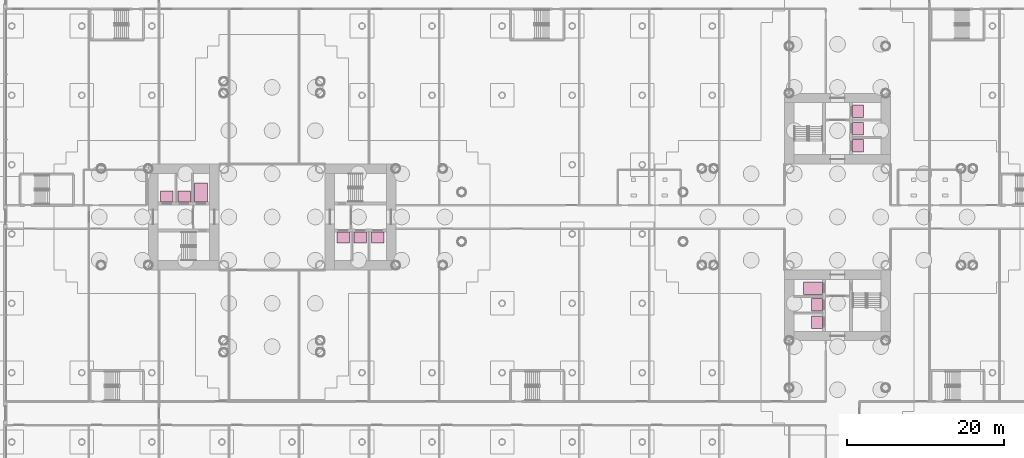
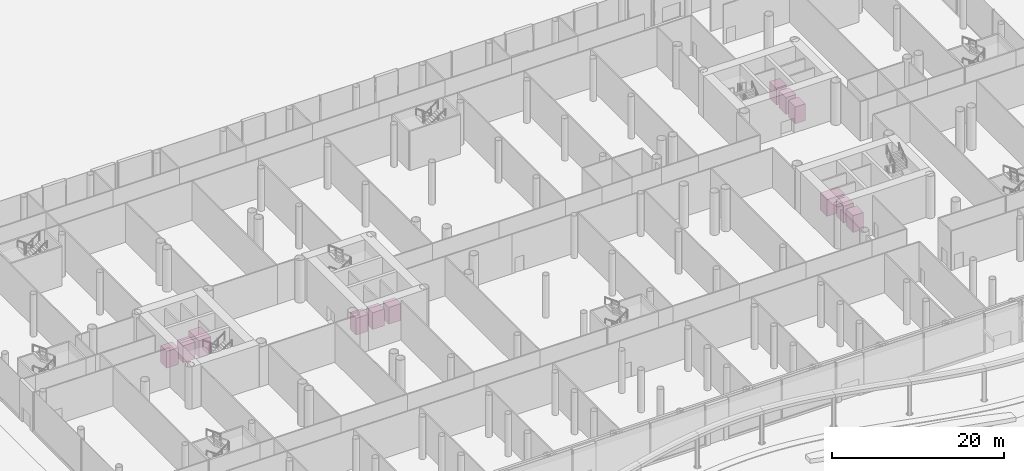
# One storey, part 75 of 75: 12 transport elements.
"""IFC4 building model written with IfcOpenShell, lengths in metres."""

from ifc_helpers import new_model, si_unit, direction, frame, origin, origin_2d, place, context, subcontext, project, spatial, rectangle, extrude, material, type_object, element, save


model = new_model("IFC4")

# Units and contexts
model_context = context("Model", 3, precision=1e-05, world=origin(), true_north=direction((0.0, 1.0)))
body_context = subcontext(model_context, "Body", "Model", "MODEL_VIEW")
ifc_project = project(units=[si_unit("LENGTHUNIT", "METRE"), si_unit("AREAUNIT", "SQUARE_METRE"), si_unit("VOLUMEUNIT", "CUBIC_METRE"), si_unit("PLANEANGLEUNIT", "RADIAN"), si_unit("MASSUNIT", "GRAM", prefix="KILO")], contexts=[model_context])

# Site, building, storey
site_placement = place(None, origin())
site = spatial("IfcSite", under=ifc_project, at=site_placement, CompositionType="ELEMENT")
building_placement = place(site_placement, origin())
building = spatial("IfcBuilding", under=site, at=building_placement, Name="Ipe Terrace Towers", CompositionType="ELEMENT")
storey_placement = place(building_placement, origin())
storey = spatial("IfcBuildingStorey", under=building, at=storey_placement, Name="L00", CompositionType="ELEMENT", Elevation=0.0)

# Transport elements
ifc_material_1 = material(Name="Stainless steel lift car", Category="steel")
transport_element_type_1 = type_object("IfcTransportElementType", Name="Lift car 1600 x 1400 for 1050 kg", PredefinedType="ELEVATOR", material=ifc_material_1)
for number, where, z_axis, x_axis, name in (
    (1, (-26.949951171875, -2.60009765625, 0.0), (0.0, 0.0, 1.0), (1.0, 0.0, 0.0), "Low-rise lift 1 T1"),
    (2, (-24.75, -2.60009765625, 0.0), (0.0, 0.0, 1.0), (1.0, 0.0, 0.0), "Low-rise lift 2 T1"),
    (3, (-22.550048828125, -2.60009765625, 0.0), (0.0, 0.0, 1.0), (1.0, 0.0, 0.0), "Low-rise lift 3 T1"),
):
    element("IfcTransportElement", number, at=place(storey_placement, frame(where, z_axis=z_axis, x_axis=x_axis)), inside=storey, type_object=transport_element_type_1, Name=name, PredefinedType="ELEVATOR", context=body_context, shape_type="SweptSolid", body=[
        extrude(rectangle(XDim=1.60009765625, YDim=1.39990234375, at=origin_2d()), origin(), (0.0, 0.0, 1.0), 2.39990234375),
    ])
for number, where, z_axis, x_axis, name in (
    (4, (38.60009765625, 9.050048828125, 0.0), (0.0, 0.0, 1.0), (1.0, 0.0, 0.0), "Low-rise lift 1 T2"),
    (5, (38.60009765625, 11.25, 0.0), (0.0, 0.0, 1.0), (1.0, 0.0, 0.0), "Low-rise lift 2 T2"),
    (6, (38.60009765625, 13.449951171875, 0.0), (0.0, 0.0, 1.0), (1.0, 0.0, 0.0), "Low-rise lift 3 T2"),
):
    element("IfcTransportElement", number, at=place(storey_placement, frame(where, z_axis=z_axis, x_axis=x_axis)), inside=storey, type_object=transport_element_type_1, Name=name, PredefinedType="ELEVATOR", context=body_context, shape_type="SweptSolid", body=[
        extrude(rectangle(XDim=1.39990234375, YDim=1.60009765625, at=origin_2d()), origin(), (0.0, 0.0, 1.0), 2.39990234375),
    ])
ifc_material_2 = material(Name="Stainless steel lift car", Category="steel")
transport_element_type_2 = type_object("IfcTransportElementType", Name="Lift car 1600 x 1400 for 1350 kg", PredefinedType="ELEVATOR", material=ifc_material_2)
for number, where, z_axis, x_axis, name in (
    (7, (-47.199951171875, 2.60009765625, 0.0), (0.0, 0.0, 1.0), (1.0, 0.0, 0.0), "Express shuttle lift 1 T1"),
    (8, (-49.39990234375, 2.60009765625, 0.0), (0.0, 0.0, 1.0), (1.0, 0.0, 0.0), "High-rise express lift T1"),
):
    element("IfcTransportElement", number, at=place(storey_placement, frame(where, z_axis=z_axis, x_axis=x_axis)), inside=storey, type_object=transport_element_type_2, Name=name, PredefinedType="ELEVATOR", context=body_context, shape_type="SweptSolid", body=[
        extrude(rectangle(XDim=1.60009765625, YDim=1.39990234375, at=origin_2d()), origin(), (0.0, 0.0, 1.0), 2.39990234375),
    ])
for number, where, z_axis, x_axis, name in (
    (9, (33.39990234375, -11.199951171875, 0.0), (0.0, 0.0, 1.0), (1.0, 0.0, 0.0), "Express shuttle lift 1 T2"),
    (10, (33.39990234375, -13.39990234375, 0.0), (0.0, 0.0, 1.0), (1.0, 0.0, 0.0), "High-rise express lift T2"),
):
    element("IfcTransportElement", number, at=place(storey_placement, frame(where, z_axis=z_axis, x_axis=x_axis)), inside=storey, type_object=transport_element_type_2, Name=name, PredefinedType="ELEVATOR", context=body_context, shape_type="SweptSolid", body=[
        extrude(rectangle(XDim=1.39990234375, YDim=1.60009765625, at=origin_2d()), origin(), (0.0, 0.0, 1.0), 2.39990234375),
    ])
ifc_material_3 = material(Name="Stainless steel lift car", Category="steel")
transport_element_type_3 = type_object("IfcTransportElementType", Name="Lift car 1600 x 2400 for 1600 kg", PredefinedType="ELEVATOR", material=ifc_material_3)
transport_element_1_placement = place(storey_placement, frame((-45.050048828125, 3.10009765625, 0.0), z_axis=(0.0, 0.0, 1.0), x_axis=(1.0, 0.0, 0.0)))
element("IfcTransportElement", 11, at=transport_element_1_placement, inside=storey, type_object=transport_element_type_3, Name="Firefighting and evacuation lift T1", PredefinedType="ELEVATOR", context=body_context, shape_type="SweptSolid", body=[
    extrude(rectangle(XDim=1.60009765625, YDim=2.39990234375, at=origin_2d()), origin(), (0.0, 0.0, 1.0), 2.39990234375),
])
transport_element_2_placement = place(storey_placement, frame((32.89990234375, -9.050048828125, 0.0), z_axis=(0.0, 0.0, 1.0), x_axis=(1.0, 0.0, 0.0)))
element("IfcTransportElement", 12, at=transport_element_2_placement, inside=storey, type_object=transport_element_type_3, Name="Firefighting and evacuation lift T2", PredefinedType="ELEVATOR", context=body_context, shape_type="SweptSolid", body=[
    extrude(rectangle(XDim=2.39990234375, YDim=1.60009765625, at=origin_2d()), origin(), (0.0, 0.0, 1.0), 2.39990234375),
])

save(model, "model.ifc")
